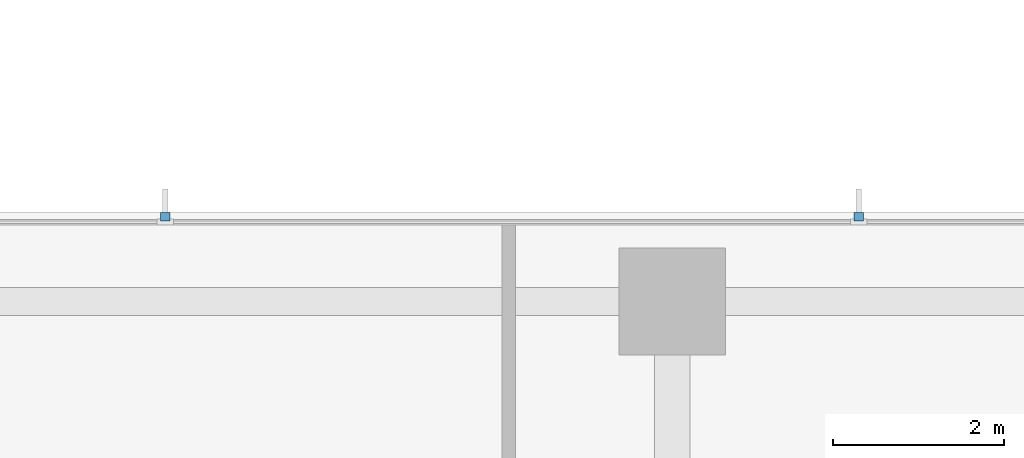
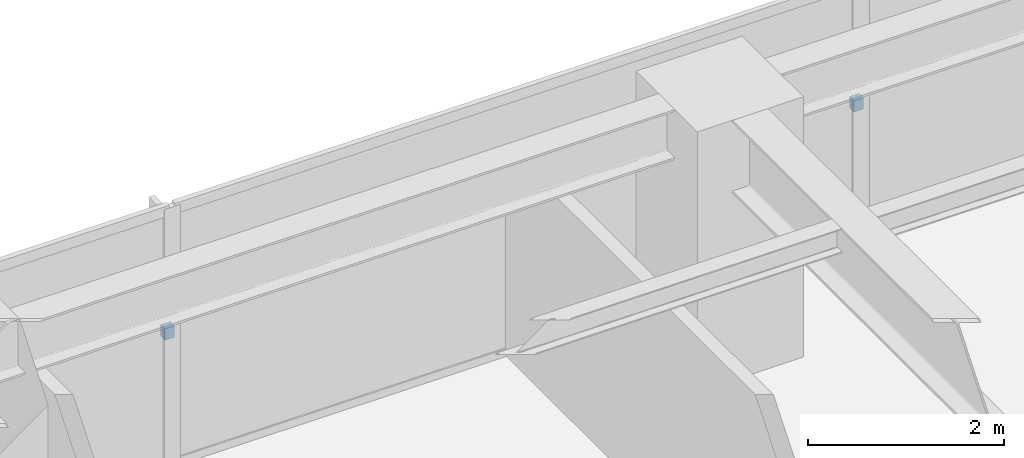
# One storey, part 15 of 17: 2 discrete accessories.
"""IFC4 building model written with IfcOpenShell, lengths in metres."""

from ifc_helpers import new_model, si_unit, direction, frame, origin, place, context, subcontext, project, spatial, polyline, outline, extrude, material, type_object, element, save


model = new_model("IFC4")

# Units and contexts
model_context = context("Model", 3, precision=1e-05, world=origin(), true_north=direction((0.0, 1.0)))
body_context = subcontext(model_context, "Body", "Model", "MODEL_VIEW")
ifc_project = project(units=[si_unit("LENGTHUNIT", "METRE"), si_unit("AREAUNIT", "SQUARE_METRE"), si_unit("VOLUMEUNIT", "CUBIC_METRE"), si_unit("PLANEANGLEUNIT", "RADIAN"), si_unit("MASSUNIT", "GRAM", prefix="KILO")], contexts=[model_context])

# Site, building, storey
site_placement = place(None, origin())
site = spatial("IfcSite", under=ifc_project, at=site_placement, CompositionType="ELEMENT")
building_placement = place(site_placement, origin())
building = spatial("IfcBuilding", under=site, at=building_placement, Name="Qalmaran Belvedere Hotel", CompositionType="ELEMENT")
storey_placement = place(building_placement, frame((0.0, 0.0, 102.199951171875)))
storey = spatial("IfcBuildingStorey", under=building, at=storey_placement, Name="L25", CompositionType="ELEMENT", Elevation=102.199951171875)

# Discrete accessories
ifc_material = material(Name="Stainless Steel 1.4401", Category="steel")
discrete_accessory_type = type_object("IfcDiscreteAccessoryType", Name="BRK-FIN-SS316", PredefinedType="BRACKET", material=ifc_material)
discrete_accessory_1_placement = place(storey_placement, frame((0.0, 0.0, 1.570068359375)))
element("IfcDiscreteAccessory", 1, at=discrete_accessory_1_placement, inside=storey, type_object=discrete_accessory_type, Name="L25 Fin Bracket 1", PredefinedType="BRACKET", context=body_context, shape_type="SweptSolid", body=[
    extrude(outline(polyline([(31.438232421875, 46.39501953125), (31.438232421875, 46.489990234375), (31.328369140625, 46.489990234375), (31.328369140625, 46.39501953125), (31.438232421875, 46.39501953125)])), origin(), (0.0, 0.0, 1.0), 0.139892578125),
])
discrete_accessory_2_placement = place(storey_placement, frame((0.0, 0.0, 1.570068359375)))
element("IfcDiscreteAccessory", 2, at=discrete_accessory_2_placement, inside=storey, type_object=discrete_accessory_type, Name="L25 Fin Bracket 2", PredefinedType="BRACKET", context=body_context, shape_type="SweptSolid", body=[
    extrude(outline(polyline([(23.32177734375, 46.39501953125), (23.32177734375, 46.489990234375), (23.211669921875, 46.489990234375), (23.211669921875, 46.39501953125), (23.32177734375, 46.39501953125)])), origin(), (0.0, 0.0, 1.0), 0.139892578125),
])

save(model, "model.ifc")
